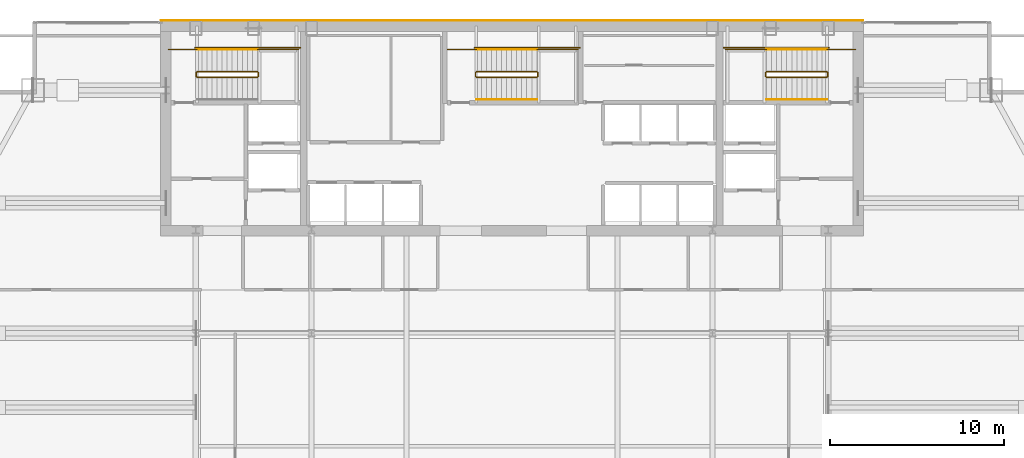
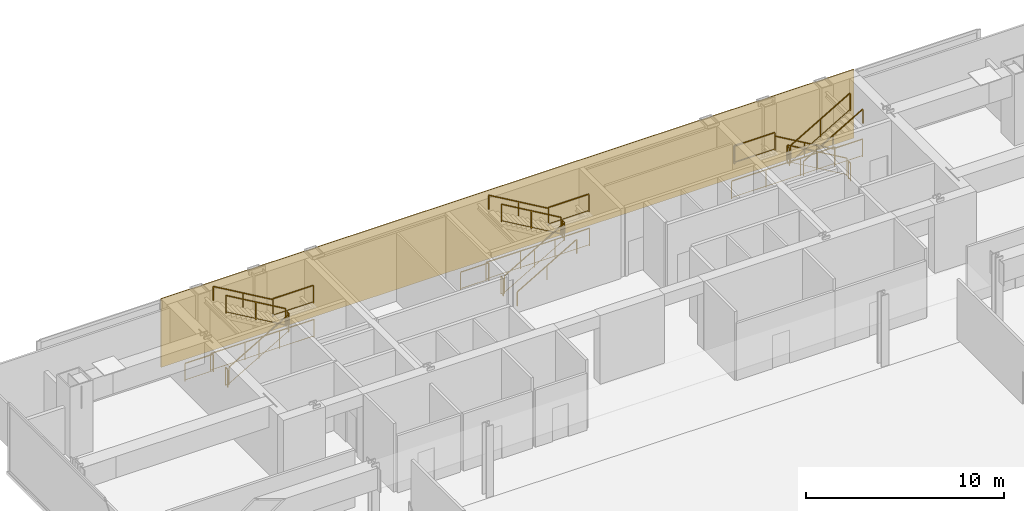
# One storey, part 25 of 25: 26 railings, 1 covering.
"""IFC4 building model written with IfcOpenShell, lengths in metres."""

from ifc_helpers import new_model, si_unit, direction, frame, origin, origin_2d, place, context, subcontext, project, spatial, polyline, rectangle, outline, extrude, material, layer, layer_set, type_object, element, save


model = new_model("IFC4")

# Units and contexts
model_context = context("Model", 3, precision=1e-05, world=origin(), true_north=direction((0.0, 1.0)))
body_context = subcontext(model_context, "Body", "Model", "MODEL_VIEW")
ifc_project = project(units=[si_unit("LENGTHUNIT", "METRE"), si_unit("AREAUNIT", "SQUARE_METRE"), si_unit("VOLUMEUNIT", "CUBIC_METRE"), si_unit("PLANEANGLEUNIT", "RADIAN"), si_unit("MASSUNIT", "GRAM", prefix="KILO")], contexts=[model_context])

# Site, building, storey
site_placement = place(None, origin())
site = spatial("IfcSite", under=ifc_project, at=site_placement, CompositionType="ELEMENT")
building_placement = place(site_placement, origin())
building = spatial("IfcBuilding", under=site, at=building_placement, Name="Khoronbel Lancet Exchange", CompositionType="ELEMENT")
storey_placement = place(building_placement, frame((0.0, 0.0, 184.199951171875)))
storey = spatial("IfcBuildingStorey", under=building, at=storey_placement, Name="L46", CompositionType="ELEMENT", Elevation=184.199951171875)

# Covering
ifc_material_1 = material(Name="Honed Egyptian Limestone & Bronze Rainscreen", Category="masonry")
ifc_layer = layer(ifc_material_1, 0.050048828125, Name="Honed Egyptian Limestone & Bronze Rainscreen")
ifc_layer_set = layer_set([ifc_layer], Name="Honed Egyptian Limestone & Bronze Rainscreen")
covering_type = type_object("IfcCoveringType", Name="COV-CLAD1", PredefinedType="CLADDING", material=ifc_layer_set)
covering_placement = place(storey_placement, origin())
element("IfcCovering", 1, at=covering_placement, inside=storey, type_object=covering_type, Name="Level L46 north rear-core stone and bronze rainscreen cladding", PredefinedType="CLADDING", context=body_context, shape_type="SweptSolid", body=[
    extrude(outline(polyline([(16.199951171875, 53.699951171875), (56.699951171875, 53.699951171875), (56.699951171875, 53.75), (16.199951171875, 53.75), (16.199951171875, 53.699951171875)])), origin(), (0.0, 0.0, 1.0), 4.239990234375),
])

# Railings
ifc_material_2 = material(Name="Painted Steel Balustrade", Category="steel")
railing_type_1 = type_object("IfcRailingType", Name="RL-STG110", PredefinedType="GUARDRAIL", material=ifc_material_2)
railing_1_placement = place(storey_placement, frame((18.300048828125, 50.449951171875, 0.169189453125)))
element("IfcRailing", 2, at=railing_1_placement, inside=storey, type_object=railing_type_1, Name="L46 ST1 stair guard 1", PredefinedType="GUARDRAIL", context=body_context, shape_type="SweptSolid", body=[
    extrude(rectangle(XDim=0.048095703125, YDim=0.048095703125, at=origin_2d()), frame((0.0, 0.0, 1.09619140625), z_axis=(0.863695377172, 0.0, 0.504014181796), x_axis=(0.0, 1.0, 0.0)), (0.0, 0.0, 1.0), 4.029296875),
    extrude(rectangle(XDim=0.02392578125, YDim=0.02392578125, at=origin_2d()), frame((0.0, 0.0, 0.080078125), z_axis=(0.863695377172, 0.0, 0.504014181796), x_axis=(0.0, 1.0, 0.0)), (0.0, 0.0, 1.0), 4.029296875),
    extrude(rectangle(XDim=0.0419921875, YDim=0.0419921875, at=origin_2d()), origin(), (0.0, 0.0, 1.0), 1.072021484375),
    extrude(rectangle(XDim=0.0419921875, YDim=0.0419921875, at=origin_2d()), frame((1.739990234375, 0.0, 1.015380859375)), (0.0, 0.0, 1.0), 1.072021484375),
    extrude(rectangle(XDim=0.0419921875, YDim=0.0419921875, at=origin_2d()), frame((3.47998046875, 0.0, 2.03076171875)), (0.0, 0.0, 1.0), 1.072021484375),
])
railing_2_placement = place(storey_placement, frame((21.830078125, 50.5, 2.199951171875)))
element("IfcRailing", 3, at=railing_2_placement, inside=storey, type_object=railing_type_1, Name="L46 ST1 stair guard 2", PredefinedType="GUARDRAIL", context=body_context, shape_type="SweptSolid", body=[
    extrude(rectangle(XDim=0.048095703125, YDim=0.048095703125, at=origin_2d()), frame((0.0, 0.0, 1.09619140625), z_axis=(0.0, 1.0, 0.0), x_axis=(-1.0, 0.0, 0.0)), (0.0, 0.0, 1.0), 0.219970703125),
    extrude(rectangle(XDim=0.02392578125, YDim=0.02392578125, at=origin_2d()), frame((0.0, 0.0, 0.080078125), z_axis=(0.0, 1.0, 0.0), x_axis=(-1.0, 0.0, 0.0)), (0.0, 0.0, 1.0), 0.219970703125),
    extrude(rectangle(XDim=0.0419921875, YDim=0.0419921875, at=origin_2d()), origin(), (0.0, 0.0, 1.0), 1.072021484375),
    extrude(rectangle(XDim=0.0419921875, YDim=0.0419921875, at=origin_2d()), frame((0.0, 0.219970703125, 0.0)), (0.0, 0.0, 1.0), 1.072021484375),
])
railing_3_placement = place(storey_placement, frame((21.780029296875, 52.050048828125, 2.199951171875)))
element("IfcRailing", 4, at=railing_3_placement, inside=storey, type_object=railing_type_1, Name="L46 ST1 stair guard 3", PredefinedType="GUARDRAIL", context=body_context, shape_type="SweptSolid", body=[
    extrude(rectangle(XDim=0.048095703125, YDim=0.048095703125, at=origin_2d()), frame((0.0, 0.0, 1.09619140625), z_axis=(1.0, 0.0, 0.0), x_axis=(0.0, 1.0, 0.0)), (0.0, 0.0, 1.0), 2.369873046875),
    extrude(rectangle(XDim=0.02392578125, YDim=0.02392578125, at=origin_2d()), frame((0.0, 0.0, 0.080078125), z_axis=(1.0, 0.0, 0.0), x_axis=(0.0, 1.0, 0.0)), (0.0, 0.0, 1.0), 2.369873046875),
    extrude(rectangle(XDim=0.0419921875, YDim=0.0419921875, at=origin_2d()), origin(), (0.0, 0.0, 1.0), 1.072021484375),
    extrude(rectangle(XDim=0.0419921875, YDim=0.0419921875, at=origin_2d()), frame((2.369873046875, 0.0, 0.0)), (0.0, 0.0, 1.0), 1.072021484375),
])
railing_4_placement = place(storey_placement, frame((21.780029296875, 50.77001953125, 2.369384765625)))
element("IfcRailing", 5, at=railing_4_placement, inside=storey, type_object=railing_type_1, Name="L46 ST1 stair guard 4", PredefinedType="GUARDRAIL", context=body_context, shape_type="SweptSolid", body=[
    extrude(rectangle(XDim=0.048095703125, YDim=0.048095703125, at=origin_2d()), frame((0.0, 0.0, 1.09619140625), z_axis=(-0.863695377172, 0.0, 0.504014181796), x_axis=(0.0, -1.0, 0.0)), (0.0, 0.0, 1.0), 4.029296875),
    extrude(rectangle(XDim=0.02392578125, YDim=0.02392578125, at=origin_2d()), frame((0.0, 0.0, 0.080078125), z_axis=(-0.863695377172, 0.0, 0.504014181796), x_axis=(0.0, -1.0, 0.0)), (0.0, 0.0, 1.0), 4.029296875),
    extrude(rectangle(XDim=0.0419921875, YDim=0.0419921875, at=origin_2d()), origin(), (0.0, 0.0, 1.0), 1.072021484375),
    extrude(rectangle(XDim=0.0419921875, YDim=0.0419921875, at=origin_2d()), frame((-1.739990234375, 0.0, 1.015380859375)), (0.0, 0.0, 1.0), 1.072021484375),
    extrude(rectangle(XDim=0.0419921875, YDim=0.0419921875, at=origin_2d()), frame((-3.47998046875, 0.0, 2.03076171875)), (0.0, 0.0, 1.0), 1.072021484375),
])
railing_5_placement = place(storey_placement, frame((18.25, 50.5, 0.0)))
element("IfcRailing", 6, at=railing_5_placement, inside=storey, type_object=railing_type_1, Name="L46 ST1 stair guard 5", PredefinedType="GUARDRAIL", context=body_context, shape_type="SweptSolid", body=[
    extrude(rectangle(XDim=0.048095703125, YDim=0.048095703125, at=origin_2d()), frame((0.0, 0.0, 1.09619140625), z_axis=(0.0, 1.0, 0.0), x_axis=(-1.0, 0.0, 0.0)), (0.0, 0.0, 1.0), 0.219970703125),
    extrude(rectangle(XDim=0.02392578125, YDim=0.02392578125, at=origin_2d()), frame((0.0, 0.0, 0.080078125), z_axis=(0.0, 1.0, 0.0), x_axis=(-1.0, 0.0, 0.0)), (0.0, 0.0, 1.0), 0.219970703125),
    extrude(rectangle(XDim=0.0419921875, YDim=0.0419921875, at=origin_2d()), origin(), (0.0, 0.0, 1.0), 1.072021484375),
    extrude(rectangle(XDim=0.0419921875, YDim=0.0419921875, at=origin_2d()), frame((0.0, 0.219970703125, 0.0)), (0.0, 0.0, 1.0), 1.072021484375),
])
railing_6_placement = place(storey_placement, frame((16.64990234375, 52.050048828125, 0.0)))
element("IfcRailing", 7, at=railing_6_placement, inside=storey, type_object=railing_type_1, Name="L46 ST1 stair guard 6", PredefinedType="GUARDRAIL", context=body_context, shape_type="SweptSolid", body=[
    extrude(rectangle(XDim=0.048095703125, YDim=0.048095703125, at=origin_2d()), frame((0.0, 0.0, 1.09619140625), z_axis=(1.0, 0.0, 0.0), x_axis=(0.0, 1.0, 0.0)), (0.0, 0.0, 1.0), 1.650146484375),
    extrude(rectangle(XDim=0.02392578125, YDim=0.02392578125, at=origin_2d()), frame((0.0, 0.0, 0.080078125), z_axis=(1.0, 0.0, 0.0), x_axis=(0.0, 1.0, 0.0)), (0.0, 0.0, 1.0), 1.650146484375),
    extrude(rectangle(XDim=0.0419921875, YDim=0.0419921875, at=origin_2d()), origin(), (0.0, 0.0, 1.0), 1.072021484375),
    extrude(rectangle(XDim=0.0419921875, YDim=0.0419921875, at=origin_2d()), frame((1.650146484375, 0.0, 0.0)), (0.0, 0.0, 1.0), 1.072021484375),
])
railing_7_placement = place(storey_placement, frame((18.199951171875, 52.14990234375, 0.0)))
element("IfcRailing", 8, at=railing_7_placement, inside=storey, type_object=railing_type_1, Name="L46 ST1 stair guard 7", PredefinedType="GUARDRAIL", context=body_context, shape_type="SweptSolid", body=[
    extrude(rectangle(XDim=0.048095703125, YDim=0.048095703125, at=origin_2d()), frame((0.0, 0.0, 1.09619140625), z_axis=(1.0, 0.0, 0.0), x_axis=(0.0, 1.0, 0.0)), (0.0, 0.0, 1.0), 6.050048828125),
    extrude(rectangle(XDim=0.02392578125, YDim=0.02392578125, at=origin_2d()), frame((0.0, 0.0, 0.080078125), z_axis=(1.0, 0.0, 0.0), x_axis=(0.0, 1.0, 0.0)), (0.0, 0.0, 1.0), 6.050048828125),
    extrude(rectangle(XDim=0.0419921875, YDim=0.0419921875, at=origin_2d()), origin(), (0.0, 0.0, 1.0), 1.072021484375),
    extrude(rectangle(XDim=0.0419921875, YDim=0.0419921875, at=origin_2d()), frame((2.0166015625, 0.0, 0.0)), (0.0, 0.0, 1.0), 1.072021484375),
    extrude(rectangle(XDim=0.0419921875, YDim=0.0419921875, at=origin_2d()), frame((4.033447265625, 0.0, 0.0)), (0.0, 0.0, 1.0), 1.072021484375),
    extrude(rectangle(XDim=0.0419921875, YDim=0.0419921875, at=origin_2d()), frame((6.050048828125, 0.0, 0.0)), (0.0, 0.0, 1.0), 1.072021484375),
])
railing_8_placement = place(storey_placement, frame((54.60009765625, 50.77001953125, 0.169189453125)))
element("IfcRailing", 9, at=railing_8_placement, inside=storey, type_object=railing_type_1, Name="L46 ST2 stair guard 1", PredefinedType="GUARDRAIL", context=body_context, shape_type="SweptSolid", body=[
    extrude(rectangle(XDim=0.048095703125, YDim=0.048095703125, at=origin_2d()), frame((0.0, 0.0, 1.09619140625), z_axis=(-0.863695377172, 0.0, 0.504014181796), x_axis=(0.0, -1.0, 0.0)), (0.0, 0.0, 1.0), 4.029296875),
    extrude(rectangle(XDim=0.02392578125, YDim=0.02392578125, at=origin_2d()), frame((0.0, 0.0, 0.080078125), z_axis=(-0.863695377172, 0.0, 0.504014181796), x_axis=(0.0, -1.0, 0.0)), (0.0, 0.0, 1.0), 4.029296875),
    extrude(rectangle(XDim=0.0419921875, YDim=0.0419921875, at=origin_2d()), origin(), (0.0, 0.0, 1.0), 1.072021484375),
    extrude(rectangle(XDim=0.0419921875, YDim=0.0419921875, at=origin_2d()), frame((-1.739990234375, 0.0, 1.015380859375)), (0.0, 0.0, 1.0), 1.072021484375),
    extrude(rectangle(XDim=0.0419921875, YDim=0.0419921875, at=origin_2d()), frame((-3.47998046875, 0.0, 2.03076171875)), (0.0, 0.0, 1.0), 1.072021484375),
])
railing_9_placement = place(storey_placement, frame((51.070068359375, 50.719970703125, 2.199951171875)))
element("IfcRailing", 10, at=railing_9_placement, inside=storey, type_object=railing_type_1, Name="L46 ST2 stair guard 2", PredefinedType="GUARDRAIL", context=body_context, shape_type="SweptSolid", body=[
    extrude(rectangle(XDim=0.048095703125, YDim=0.048095703125, at=origin_2d()), frame((0.0, 0.0, 1.09619140625), z_axis=(0.0, -1.0, 0.0), x_axis=(1.0, 0.0, 0.0)), (0.0, 0.0, 1.0), 0.219970703125),
    extrude(rectangle(XDim=0.02392578125, YDim=0.02392578125, at=origin_2d()), frame((0.0, 0.0, 0.080078125), z_axis=(0.0, -1.0, 0.0), x_axis=(1.0, 0.0, 0.0)), (0.0, 0.0, 1.0), 0.219970703125),
    extrude(rectangle(XDim=0.0419921875, YDim=0.0419921875, at=origin_2d()), origin(), (0.0, 0.0, 1.0), 1.072021484375),
    extrude(rectangle(XDim=0.0419921875, YDim=0.0419921875, at=origin_2d()), frame((0.0, -0.219970703125, 0.0)), (0.0, 0.0, 1.0), 1.072021484375),
])
railing_10_placement = place(storey_placement, frame((51.1201171875, 52.050048828125, 2.199951171875)))
element("IfcRailing", 11, at=railing_10_placement, inside=storey, type_object=railing_type_1, Name="L46 ST2 stair guard 3", PredefinedType="GUARDRAIL", context=body_context, shape_type="SweptSolid", body=[
    extrude(rectangle(XDim=0.048095703125, YDim=0.048095703125, at=origin_2d()), frame((0.0, 0.0, 1.09619140625), z_axis=(-1.0, 0.0, 0.0), x_axis=(0.0, -1.0, 0.0)), (0.0, 0.0, 1.0), 2.3701171875),
    extrude(rectangle(XDim=0.02392578125, YDim=0.02392578125, at=origin_2d()), frame((0.0, 0.0, 0.080078125), z_axis=(-1.0, 0.0, 0.0), x_axis=(0.0, -1.0, 0.0)), (0.0, 0.0, 1.0), 2.3701171875),
    extrude(rectangle(XDim=0.0419921875, YDim=0.0419921875, at=origin_2d()), origin(), (0.0, 0.0, 1.0), 1.072021484375),
    extrude(rectangle(XDim=0.0419921875, YDim=0.0419921875, at=origin_2d()), frame((-2.3701171875, 0.0, 0.0)), (0.0, 0.0, 1.0), 1.072021484375),
])
railing_11_placement = place(storey_placement, frame((51.1201171875, 50.449951171875, 2.369384765625)))
element("IfcRailing", 12, at=railing_11_placement, inside=storey, type_object=railing_type_1, Name="L46 ST2 stair guard 4", PredefinedType="GUARDRAIL", context=body_context, shape_type="SweptSolid", body=[
    extrude(rectangle(XDim=0.048095703125, YDim=0.048095703125, at=origin_2d()), frame((0.0, 0.0, 1.09619140625), z_axis=(0.863695377172, 0.0, 0.504014181796), x_axis=(0.0, 1.0, 0.0)), (0.0, 0.0, 1.0), 4.029296875),
    extrude(rectangle(XDim=0.02392578125, YDim=0.02392578125, at=origin_2d()), frame((0.0, 0.0, 0.080078125), z_axis=(0.863695377172, 0.0, 0.504014181796), x_axis=(0.0, 1.0, 0.0)), (0.0, 0.0, 1.0), 4.029296875),
    extrude(rectangle(XDim=0.0419921875, YDim=0.0419921875, at=origin_2d()), origin(), (0.0, 0.0, 1.0), 1.072021484375),
    extrude(rectangle(XDim=0.0419921875, YDim=0.0419921875, at=origin_2d()), frame((1.739990234375, 0.0, 1.015380859375)), (0.0, 0.0, 1.0), 1.072021484375),
    extrude(rectangle(XDim=0.0419921875, YDim=0.0419921875, at=origin_2d()), frame((3.47998046875, 0.0, 2.03076171875)), (0.0, 0.0, 1.0), 1.072021484375),
])
railing_12_placement = place(storey_placement, frame((54.64990234375, 50.719970703125, 0.0)))
element("IfcRailing", 13, at=railing_12_placement, inside=storey, type_object=railing_type_1, Name="L46 ST2 stair guard 5", PredefinedType="GUARDRAIL", context=body_context, shape_type="SweptSolid", body=[
    extrude(rectangle(XDim=0.048095703125, YDim=0.048095703125, at=origin_2d()), frame((0.0, 0.0, 1.09619140625), z_axis=(0.0, -1.0, 0.0), x_axis=(1.0, 0.0, 0.0)), (0.0, 0.0, 1.0), 0.219970703125),
    extrude(rectangle(XDim=0.02392578125, YDim=0.02392578125, at=origin_2d()), frame((0.0, 0.0, 0.080078125), z_axis=(0.0, -1.0, 0.0), x_axis=(1.0, 0.0, 0.0)), (0.0, 0.0, 1.0), 0.219970703125),
    extrude(rectangle(XDim=0.0419921875, YDim=0.0419921875, at=origin_2d()), origin(), (0.0, 0.0, 1.0), 1.072021484375),
    extrude(rectangle(XDim=0.0419921875, YDim=0.0419921875, at=origin_2d()), frame((0.0, -0.219970703125, 0.0)), (0.0, 0.0, 1.0), 1.072021484375),
])
railing_13_placement = place(storey_placement, frame((56.25, 52.050048828125, 0.0)))
element("IfcRailing", 14, at=railing_13_placement, inside=storey, type_object=railing_type_1, Name="L46 ST2 stair guard 6", PredefinedType="GUARDRAIL", context=body_context, shape_type="SweptSolid", body=[
    extrude(rectangle(XDim=0.048095703125, YDim=0.048095703125, at=origin_2d()), frame((0.0, 0.0, 1.09619140625), z_axis=(-1.0, 0.0, 0.0), x_axis=(0.0, -1.0, 0.0)), (0.0, 0.0, 1.0), 1.64990234375),
    extrude(rectangle(XDim=0.02392578125, YDim=0.02392578125, at=origin_2d()), frame((0.0, 0.0, 0.080078125), z_axis=(-1.0, 0.0, 0.0), x_axis=(0.0, -1.0, 0.0)), (0.0, 0.0, 1.0), 1.64990234375),
    extrude(rectangle(XDim=0.0419921875, YDim=0.0419921875, at=origin_2d()), origin(), (0.0, 0.0, 1.0), 1.072021484375),
    extrude(rectangle(XDim=0.0419921875, YDim=0.0419921875, at=origin_2d()), frame((-1.64990234375, 0.0, 0.0)), (0.0, 0.0, 1.0), 1.072021484375),
])
railing_14_placement = place(storey_placement, frame((54.699951171875, 52.14990234375, 0.0)))
element("IfcRailing", 15, at=railing_14_placement, inside=storey, type_object=railing_type_1, Name="L46 ST2 stair guard 7", PredefinedType="GUARDRAIL", context=body_context, shape_type="SweptSolid", body=[
    extrude(rectangle(XDim=0.048095703125, YDim=0.048095703125, at=origin_2d()), frame((0.0, 0.0, 1.09619140625), z_axis=(-1.0, 0.0, 0.0), x_axis=(0.0, -1.0, 0.0)), (0.0, 0.0, 1.0), 6.050048828125),
    extrude(rectangle(XDim=0.02392578125, YDim=0.02392578125, at=origin_2d()), frame((0.0, 0.0, 0.080078125), z_axis=(-1.0, 0.0, 0.0), x_axis=(0.0, -1.0, 0.0)), (0.0, 0.0, 1.0), 6.050048828125),
    extrude(rectangle(XDim=0.0419921875, YDim=0.0419921875, at=origin_2d()), origin(), (0.0, 0.0, 1.0), 1.072021484375),
    extrude(rectangle(XDim=0.0419921875, YDim=0.0419921875, at=origin_2d()), frame((-2.0166015625, 0.0, 0.0)), (0.0, 0.0, 1.0), 1.072021484375),
    extrude(rectangle(XDim=0.0419921875, YDim=0.0419921875, at=origin_2d()), frame((-4.033447265625, 0.0, 0.0)), (0.0, 0.0, 1.0), 1.072021484375),
    extrude(rectangle(XDim=0.0419921875, YDim=0.0419921875, at=origin_2d()), frame((-6.050048828125, 0.0, 0.0)), (0.0, 0.0, 1.0), 1.072021484375),
])
railing_15_placement = place(storey_placement, frame((34.39990234375, 50.449951171875, 0.169189453125)))
element("IfcRailing", 16, at=railing_15_placement, inside=storey, type_object=railing_type_1, Name="L46 ST3 stair guard 1", PredefinedType="GUARDRAIL", context=body_context, shape_type="SweptSolid", body=[
    extrude(rectangle(XDim=0.048095703125, YDim=0.048095703125, at=origin_2d()), frame((0.0, 0.0, 1.09619140625), z_axis=(0.863695377172, 0.0, 0.504014181796), x_axis=(0.0, 1.0, 0.0)), (0.0, 0.0, 1.0), 4.029296875),
    extrude(rectangle(XDim=0.02392578125, YDim=0.02392578125, at=origin_2d()), frame((0.0, 0.0, 0.080078125), z_axis=(0.863695377172, 0.0, 0.504014181796), x_axis=(0.0, 1.0, 0.0)), (0.0, 0.0, 1.0), 4.029296875),
    extrude(rectangle(XDim=0.0419921875, YDim=0.0419921875, at=origin_2d()), origin(), (0.0, 0.0, 1.0), 1.072021484375),
    extrude(rectangle(XDim=0.0419921875, YDim=0.0419921875, at=origin_2d()), frame((1.739990234375, 0.0, 1.015380859375)), (0.0, 0.0, 1.0), 1.072021484375),
    extrude(rectangle(XDim=0.0419921875, YDim=0.0419921875, at=origin_2d()), frame((3.47998046875, 0.0, 2.03076171875)), (0.0, 0.0, 1.0), 1.072021484375),
])
railing_16_placement = place(storey_placement, frame((37.929931640625, 50.5, 2.199951171875)))
element("IfcRailing", 17, at=railing_16_placement, inside=storey, type_object=railing_type_1, Name="L46 ST3 stair guard 2", PredefinedType="GUARDRAIL", context=body_context, shape_type="SweptSolid", body=[
    extrude(rectangle(XDim=0.048095703125, YDim=0.048095703125, at=origin_2d()), frame((0.0, 0.0, 1.09619140625), z_axis=(0.0, 1.0, 0.0), x_axis=(-1.0, 0.0, 0.0)), (0.0, 0.0, 1.0), 0.219970703125),
    extrude(rectangle(XDim=0.02392578125, YDim=0.02392578125, at=origin_2d()), frame((0.0, 0.0, 0.080078125), z_axis=(0.0, 1.0, 0.0), x_axis=(-1.0, 0.0, 0.0)), (0.0, 0.0, 1.0), 0.219970703125),
    extrude(rectangle(XDim=0.0419921875, YDim=0.0419921875, at=origin_2d()), origin(), (0.0, 0.0, 1.0), 1.072021484375),
    extrude(rectangle(XDim=0.0419921875, YDim=0.0419921875, at=origin_2d()), frame((0.0, 0.219970703125, 0.0)), (0.0, 0.0, 1.0), 1.072021484375),
])
railing_17_placement = place(storey_placement, frame((37.8798828125, 52.050048828125, 2.199951171875)))
element("IfcRailing", 18, at=railing_17_placement, inside=storey, type_object=railing_type_1, Name="L46 ST3 stair guard 3", PredefinedType="GUARDRAIL", context=body_context, shape_type="SweptSolid", body=[
    extrude(rectangle(XDim=0.048095703125, YDim=0.048095703125, at=origin_2d()), frame((0.0, 0.0, 1.09619140625), z_axis=(1.0, 0.0, 0.0), x_axis=(0.0, 1.0, 0.0)), (0.0, 0.0, 1.0), 2.3701171875),
    extrude(rectangle(XDim=0.02392578125, YDim=0.02392578125, at=origin_2d()), frame((0.0, 0.0, 0.080078125), z_axis=(1.0, 0.0, 0.0), x_axis=(0.0, 1.0, 0.0)), (0.0, 0.0, 1.0), 2.3701171875),
    extrude(rectangle(XDim=0.0419921875, YDim=0.0419921875, at=origin_2d()), origin(), (0.0, 0.0, 1.0), 1.072021484375),
    extrude(rectangle(XDim=0.0419921875, YDim=0.0419921875, at=origin_2d()), frame((2.3701171875, 0.0, 0.0)), (0.0, 0.0, 1.0), 1.072021484375),
])
railing_18_placement = place(storey_placement, frame((37.8798828125, 50.77001953125, 2.369384765625)))
element("IfcRailing", 19, at=railing_18_placement, inside=storey, type_object=railing_type_1, Name="L46 ST3 stair guard 4", PredefinedType="GUARDRAIL", context=body_context, shape_type="SweptSolid", body=[
    extrude(rectangle(XDim=0.048095703125, YDim=0.048095703125, at=origin_2d()), frame((0.0, 0.0, 1.09619140625), z_axis=(-0.863695377172, 0.0, 0.504014181796), x_axis=(0.0, -1.0, 0.0)), (0.0, 0.0, 1.0), 4.029296875),
    extrude(rectangle(XDim=0.02392578125, YDim=0.02392578125, at=origin_2d()), frame((0.0, 0.0, 0.080078125), z_axis=(-0.863695377172, 0.0, 0.504014181796), x_axis=(0.0, -1.0, 0.0)), (0.0, 0.0, 1.0), 4.029296875),
    extrude(rectangle(XDim=0.0419921875, YDim=0.0419921875, at=origin_2d()), origin(), (0.0, 0.0, 1.0), 1.072021484375),
    extrude(rectangle(XDim=0.0419921875, YDim=0.0419921875, at=origin_2d()), frame((-1.739990234375, 0.0, 1.015380859375)), (0.0, 0.0, 1.0), 1.072021484375),
    extrude(rectangle(XDim=0.0419921875, YDim=0.0419921875, at=origin_2d()), frame((-3.47998046875, 0.0, 2.03076171875)), (0.0, 0.0, 1.0), 1.072021484375),
])
railing_19_placement = place(storey_placement, frame((34.35009765625, 50.5, 0.0)))
element("IfcRailing", 20, at=railing_19_placement, inside=storey, type_object=railing_type_1, Name="L46 ST3 stair guard 5", PredefinedType="GUARDRAIL", context=body_context, shape_type="SweptSolid", body=[
    extrude(rectangle(XDim=0.048095703125, YDim=0.048095703125, at=origin_2d()), frame((0.0, 0.0, 1.09619140625), z_axis=(0.0, 1.0, 0.0), x_axis=(-1.0, 0.0, 0.0)), (0.0, 0.0, 1.0), 0.219970703125),
    extrude(rectangle(XDim=0.02392578125, YDim=0.02392578125, at=origin_2d()), frame((0.0, 0.0, 0.080078125), z_axis=(0.0, 1.0, 0.0), x_axis=(-1.0, 0.0, 0.0)), (0.0, 0.0, 1.0), 0.219970703125),
    extrude(rectangle(XDim=0.0419921875, YDim=0.0419921875, at=origin_2d()), origin(), (0.0, 0.0, 1.0), 1.072021484375),
    extrude(rectangle(XDim=0.0419921875, YDim=0.0419921875, at=origin_2d()), frame((0.0, 0.219970703125, 0.0)), (0.0, 0.0, 1.0), 1.072021484375),
])
railing_20_placement = place(storey_placement, frame((32.75, 52.050048828125, 0.0)))
element("IfcRailing", 21, at=railing_20_placement, inside=storey, type_object=railing_type_1, Name="L46 ST3 stair guard 6", PredefinedType="GUARDRAIL", context=body_context, shape_type="SweptSolid", body=[
    extrude(rectangle(XDim=0.048095703125, YDim=0.048095703125, at=origin_2d()), frame((0.0, 0.0, 1.09619140625), z_axis=(1.0, 0.0, 0.0), x_axis=(0.0, 1.0, 0.0)), (0.0, 0.0, 1.0), 1.64990234375),
    extrude(rectangle(XDim=0.02392578125, YDim=0.02392578125, at=origin_2d()), frame((0.0, 0.0, 0.080078125), z_axis=(1.0, 0.0, 0.0), x_axis=(0.0, 1.0, 0.0)), (0.0, 0.0, 1.0), 1.64990234375),
    extrude(rectangle(XDim=0.0419921875, YDim=0.0419921875, at=origin_2d()), origin(), (0.0, 0.0, 1.0), 1.072021484375),
    extrude(rectangle(XDim=0.0419921875, YDim=0.0419921875, at=origin_2d()), frame((1.64990234375, 0.0, 0.0)), (0.0, 0.0, 1.0), 1.072021484375),
])
railing_21_placement = place(storey_placement, frame((34.300048828125, 52.14990234375, 0.0)))
element("IfcRailing", 22, at=railing_21_placement, inside=storey, type_object=railing_type_1, Name="L46 ST3 stair guard 7", PredefinedType="GUARDRAIL", context=body_context, shape_type="SweptSolid", body=[
    extrude(rectangle(XDim=0.048095703125, YDim=0.048095703125, at=origin_2d()), frame((0.0, 0.0, 1.09619140625), z_axis=(1.0, 0.0, 0.0), x_axis=(0.0, 1.0, 0.0)), (0.0, 0.0, 1.0), 6.050048828125),
    extrude(rectangle(XDim=0.02392578125, YDim=0.02392578125, at=origin_2d()), frame((0.0, 0.0, 0.080078125), z_axis=(1.0, 0.0, 0.0), x_axis=(0.0, 1.0, 0.0)), (0.0, 0.0, 1.0), 6.050048828125),
    extrude(rectangle(XDim=0.0419921875, YDim=0.0419921875, at=origin_2d()), origin(), (0.0, 0.0, 1.0), 1.072021484375),
    extrude(rectangle(XDim=0.0419921875, YDim=0.0419921875, at=origin_2d()), frame((2.0166015625, 0.0, 0.0)), (0.0, 0.0, 1.0), 1.072021484375),
    extrude(rectangle(XDim=0.0419921875, YDim=0.0419921875, at=origin_2d()), frame((4.033447265625, 0.0, 0.0)), (0.0, 0.0, 1.0), 1.072021484375),
    extrude(rectangle(XDim=0.0419921875, YDim=0.0419921875, at=origin_2d()), frame((6.050048828125, 0.0, 0.0)), (0.0, 0.0, 1.0), 1.072021484375),
])
ifc_material_3 = material(Name="Brushed Stainless Steel 316", Category="steel")
railing_type_2 = type_object("IfcRailingType", Name="RL-STH92", PredefinedType="HANDRAIL", material=ifc_material_3)
for number, where, name in (
    (23, (21.780029296875, 52.050048828125, 2.369384765625), "L46 ST1 stair handrail 2"),
    (24, (54.60009765625, 52.050048828125, 0.169189453125), "L46 ST2 stair handrail 1"),
):
    element("IfcRailing", number, at=place(storey_placement, frame(where)), inside=storey, type_object=railing_type_2, Name=name, PredefinedType="HANDRAIL", context=body_context, shape_type="SweptSolid", body=[
        extrude(rectangle(XDim=0.048095703125, YDim=0.048095703125, at=origin_2d()), frame((0.0, 0.0, 0.8759765625), z_axis=(-0.863695377172, 0.0, 0.504014181796), x_axis=(0.0, -1.0, 0.0)), (0.0, 0.0, 1.0), 4.029296875),
        extrude(rectangle(XDim=0.0419921875, YDim=0.0419921875, at=origin_2d()), origin(), (0.0, 0.0, 1.0), 0.851806640625),
        extrude(rectangle(XDim=0.0419921875, YDim=0.0419921875, at=origin_2d()), frame((-1.739990234375, 0.0, 1.015380859375)), (0.0, 0.0, 1.0), 0.851806640625),
        extrude(rectangle(XDim=0.0419921875, YDim=0.0419921875, at=origin_2d()), frame((-3.47998046875, 0.0, 2.03076171875)), (0.0, 0.0, 1.0), 0.851806640625),
    ])
for number, where, name in (
    (25, (51.1201171875, 49.169921875, 2.369384765625), "L46 ST2 stair handrail 2"),
    (26, (34.39990234375, 49.169921875, 0.169189453125), "L46 ST3 stair handrail 1"),
):
    element("IfcRailing", number, at=place(storey_placement, frame(where)), inside=storey, type_object=railing_type_2, Name=name, PredefinedType="HANDRAIL", context=body_context, shape_type="SweptSolid", body=[
        extrude(rectangle(XDim=0.048095703125, YDim=0.048095703125, at=origin_2d()), frame((0.0, 0.0, 0.8759765625), z_axis=(0.863695377172, 0.0, 0.504014181796), x_axis=(0.0, 1.0, 0.0)), (0.0, 0.0, 1.0), 4.029296875),
        extrude(rectangle(XDim=0.0419921875, YDim=0.0419921875, at=origin_2d()), origin(), (0.0, 0.0, 1.0), 0.851806640625),
        extrude(rectangle(XDim=0.0419921875, YDim=0.0419921875, at=origin_2d()), frame((1.739990234375, 0.0, 1.015380859375)), (0.0, 0.0, 1.0), 0.851806640625),
        extrude(rectangle(XDim=0.0419921875, YDim=0.0419921875, at=origin_2d()), frame((3.47998046875, 0.0, 2.03076171875)), (0.0, 0.0, 1.0), 0.851806640625),
    ])
railing_22_placement = place(storey_placement, frame((37.8798828125, 52.050048828125, 2.369384765625)))
element("IfcRailing", 27, at=railing_22_placement, inside=storey, type_object=railing_type_2, Name="L46 ST3 stair handrail 2", PredefinedType="HANDRAIL", context=body_context, shape_type="SweptSolid", body=[
    extrude(rectangle(XDim=0.048095703125, YDim=0.048095703125, at=origin_2d()), frame((0.0, 0.0, 0.8759765625), z_axis=(-0.863695377172, 0.0, 0.504014181796), x_axis=(0.0, -1.0, 0.0)), (0.0, 0.0, 1.0), 4.029296875),
    extrude(rectangle(XDim=0.0419921875, YDim=0.0419921875, at=origin_2d()), origin(), (0.0, 0.0, 1.0), 0.851806640625),
    extrude(rectangle(XDim=0.0419921875, YDim=0.0419921875, at=origin_2d()), frame((-1.739990234375, 0.0, 1.015380859375)), (0.0, 0.0, 1.0), 0.851806640625),
    extrude(rectangle(XDim=0.0419921875, YDim=0.0419921875, at=origin_2d()), frame((-3.47998046875, 0.0, 2.03076171875)), (0.0, 0.0, 1.0), 0.851806640625),
])

save(model, "model.ifc")
